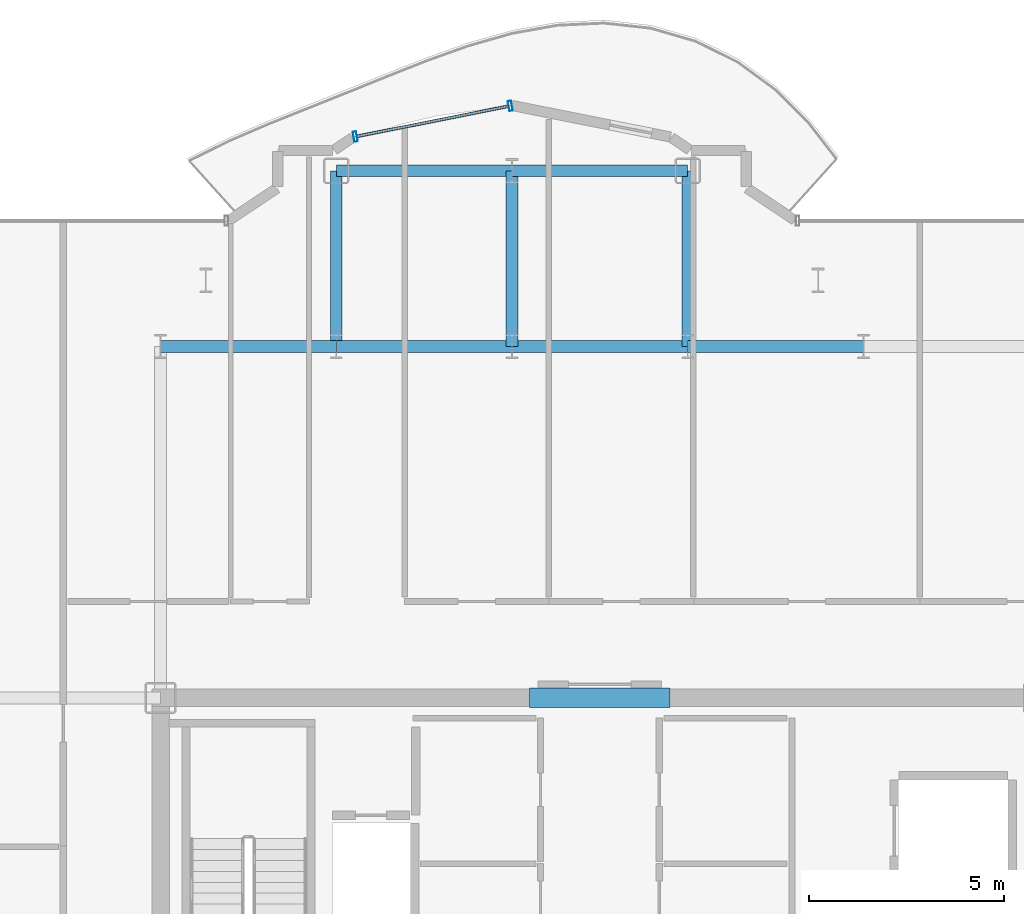
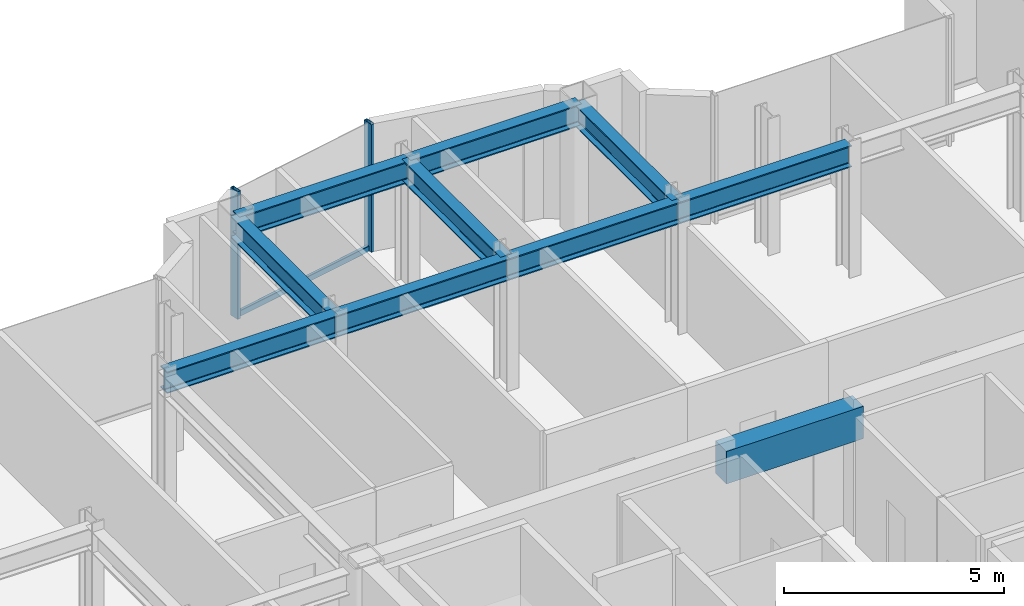
# One storey, part 10 of 18: 10 beams, 3 members, 1 element without a shape of its own.
"""IFC4 building model written with IfcOpenShell, lengths in metres."""

from ifc_helpers import new_model, si_unit, direction, frame, origin, origin_2d, place, context, subcontext, project, spatial, rectangle, hollow_rectangle, i_section, extrude, source, transform, mapped, material, layer, layer_set, material_profile, profile_set, type_object, element, aggregate, save


model = new_model("IFC4")

# Units and contexts
model_context = context("Model", 3, precision=1e-05, world=origin(), true_north=direction((0.0, 1.0)))
body_context = subcontext(model_context, "Body", "Model", "MODEL_VIEW")
ifc_project = project(units=[si_unit("LENGTHUNIT", "METRE"), si_unit("AREAUNIT", "SQUARE_METRE"), si_unit("VOLUMEUNIT", "CUBIC_METRE"), si_unit("PLANEANGLEUNIT", "RADIAN"), si_unit("MASSUNIT", "GRAM", prefix="KILO")], contexts=[model_context])

# Site, building, storey
site_placement = place(None, origin())
site = spatial("IfcSite", under=ifc_project, at=site_placement, CompositionType="ELEMENT")
building_placement = place(site_placement, origin())
building = spatial("IfcBuilding", under=site, at=building_placement, Name="Nefas-Gora Pilgrimage Tower", CompositionType="ELEMENT")
storey_placement = place(building_placement, frame((0.0, 0.0, 268.39990234375)))
storey = spatial("IfcBuildingStorey", under=building, at=storey_placement, Name="L67", CompositionType="ELEMENT", Elevation=268.39990234375)

# Beams
ifc_material_1 = material(Name="Concrete C50/60", Category="concrete")
ifc_material_profile_1 = material_profile(ifc_material_1, rectangle(XDim=0.5, YDim=0.89990234375, at=origin_2d()), Name="RC 500x900")
ifc_profile_set_1 = profile_set([ifc_material_profile_1], Name="Concrete C50/60")
beam_type_1 = type_object("IfcBeamType", Name="BM-LIN-RC900", PredefinedType="LINTEL", material=ifc_profile_set_1)
shared_shape_1 = source(origin(), body_context, "Body", "SweptSolid", [
    extrude(rectangle(XDim=0.5, YDim=0.89990234375, at=origin_2d()), origin(), (0.0, 0.0, 1.0), 3.60009765625),
])
beam_placement = place(storey_placement, frame((-1.800048828125, 9.0, 3.10009765625), z_axis=(1.0, 0.0, 0.0), x_axis=(0.0, 1.0, 0.0)))
element("IfcBeam", 1, at=beam_placement, inside=storey, type_object=beam_type_1, Name="L67 Core Coupling Lintel Beam N", PredefinedType="LINTEL", context=body_context, shape_type="MappedRepresentation", body=[
    mapped(shared_shape_1, transform((0.0, 0.0, 0.0), x_axis=(1.0, 0.0, 0.0), y_axis=(0.0, 1.0, 0.0), z_axis=(0.0, 0.0, 1.0), scale=1.0)),
])
ifc_material_2 = material(Name="Steel S355", Category="steel")
ifc_material_profile_2 = material_profile(ifc_material_2, i_section(OverallWidth=0.300048828125, OverallDepth=0.60009765625, WebThickness=0.015380859375, FlangeThickness=0.030029296875, FilletRadius=0.027099609375, at=origin_2d()), Name="HEB 600")
ifc_profile_set_2 = profile_set([ifc_material_profile_2], Name="Steel S355")
beam_type_2 = type_object("IfcBeamType", Name="BM-GIR-HEB600", PredefinedType="BEAM", material=ifc_profile_set_2)
shared_shape_2 = source(origin(), body_context, "Body", "SweptSolid", [
    extrude(i_section(OverallWidth=0.300048828125, OverallDepth=0.60009765625, WebThickness=0.015380859375, FlangeThickness=0.030029296875, FilletRadius=0.027099609375, at=origin_2d()), origin(), (0.0, 0.0, 1.0), 4.5),
])
for number, where, z_axis, x_axis, name in (
    (2, (-11.25, 18.0, 3.25), (1.0, 0.0, 0.0), (0.0, 1.0, 0.0), "L67 G-04 beam"),
    (3, (-6.75, 18.0, 3.25), (0.0, 1.0, 0.0), (-1.0, 0.0, 0.0), "L67 G-04 beam"),
    (4, (-6.75, 18.0, 3.25), (1.0, 0.0, 0.0), (0.0, 1.0, 0.0), "L67 G-04 beam"),
    (5, (-6.75, 22.5, 3.25), (1.0, 0.0, 0.0), (0.0, 1.0, 0.0), "L67 G-04 beam"),
    (6, (-2.25, 18.0, 3.25), (0.0, 1.0, 0.0), (-1.0, 0.0, 0.0), "L67 G-04 beam"),
    (7, (-2.25, 18.0, 3.25), (1.0, 0.0, 0.0), (0.0, 1.0, 0.0), "L67 G-04 beam"),
    (8, (-2.25, 22.5, 3.25), (1.0, 0.0, 0.0), (0.0, 1.0, 0.0), "L67 G-04 beam"),
    (9, (2.25, 18.0, 3.25), (0.0, 1.0, 0.0), (-1.0, 0.0, 0.0), "L67 G-04 beam"),
    (10, (2.25, 18.0, 3.25), (1.0, 0.0, 0.0), (0.0, 1.0, 0.0), "L67 G-04 beam"),
):
    element("IfcBeam", number, at=place(storey_placement, frame(where, z_axis=z_axis, x_axis=x_axis)), inside=storey, type_object=beam_type_2, Name=name, PredefinedType="BEAM", context=body_context, shape_type="MappedRepresentation", body=[
        mapped(shared_shape_2, transform((0.0, 0.0, 0.0), x_axis=(1.0, 0.0, 0.0), y_axis=(0.0, 1.0, 0.0), z_axis=(0.0, 0.0, 1.0), scale=1.0)),
    ])

# Curtain wall, members
ifc_material_3 = material(Name="Dark ceramic-fritted solar-control aluminium-glass curtain wall", Category="aluminium")
ifc_layer = layer(ifc_material_3, 0.219970703125)
ifc_layer_set = layer_set([ifc_layer], Name="Dark ceramic-fritted solar-control aluminium-glass curtain wall")
curtain_wall_type = type_object("IfcCurtainWallType", Name="CW-SYS-5", PredefinedType="NOTDEFINED", material=ifc_layer_set)
curtain_wall_placement = place(storey_placement, origin())
curtain_wall = element("IfcCurtainWall", 11, at=curtain_wall_placement, inside=storey, type_object=curtain_wall_type, Name="L67 Unitised Curtain Wall CW5", PredefinedType="NOTDEFINED")
ifc_material_4 = material(Name="Anodised architectural aluminium", Category="aluminium")
ifc_material_profile_3 = material_profile(ifc_material_4, hollow_rectangle(XDim=0.090087890625, YDim=0.260009765625, WallThickness=0.006103515625, InnerFilletRadius=0.006103515625, OuterFilletRadius=0.011962890625, at=origin_2d()), Name="ALU MULLION 90x260")
ifc_profile_set_3 = profile_set([ifc_material_profile_3], Name="Anodised architectural aluminium")
member_type_1 = type_object("IfcMemberType", Name="CWM-MUL-5", PredefinedType="MULLION", material=ifc_profile_set_3)
shared_shape_3 = source(origin(), body_context, "Body", "SweptSolid", [
    extrude(hollow_rectangle(XDim=0.090087890625, YDim=0.260009765625, WallThickness=0.006103515625, InnerFilletRadius=0.006103515625, OuterFilletRadius=0.011962890625, at=origin_2d()), origin(), (0.0, 0.0, 1.0), 3.550048828125),
])
member_1_placement = place(storey_placement, frame((-2.294189453125, 24.16357421875, 0.0), z_axis=(0.0, 0.0, 1.0), x_axis=(-0.980782896852, -0.195102304554, 0.0)))
member_1 = element("IfcMember", 12, at=member_1_placement, type_object=member_type_1, Name="CW5 Mullion 1", PredefinedType="MULLION", context=body_context, shape_type="MappedRepresentation", body=[
    mapped(shared_shape_3, transform((0.0, 0.0, 0.0), x_axis=(1.0, 0.0, 0.0), y_axis=(0.0, 1.0, 0.0), z_axis=(0.0, 0.0, 1.0), scale=1.0)),
])
member_2_placement = place(storey_placement, frame((-6.26318359375, 23.3740234375, 0.0), z_axis=(0.0, 0.0, 1.0), x_axis=(-0.980782896852, -0.195102304554, 0.0)))
member_2 = element("IfcMember", 13, at=member_2_placement, type_object=member_type_1, Name="CW5 Mullion 2", PredefinedType="MULLION", context=body_context, shape_type="MappedRepresentation", body=[
    mapped(shared_shape_3, transform((0.0, 0.0, 0.0), x_axis=(1.0, 0.0, 0.0), y_axis=(0.0, 1.0, 0.0), z_axis=(0.0, 0.0, 1.0), scale=1.0)),
])
ifc_material_profile_4 = material_profile(ifc_material_4, hollow_rectangle(XDim=0.080078125, YDim=0.159912109375, WallThickness=0.00439453125, InnerFilletRadius=0.00439453125, OuterFilletRadius=0.009033203125, at=origin_2d()), Name="ALU TRANSOM 80x160")
ifc_profile_set_4 = profile_set([ifc_material_profile_4], Name="Anodised architectural aluminium")
member_type_2 = type_object("IfcMemberType", Name="CWM-TRN-5", PredefinedType="USERDEFINED", material=ifc_profile_set_4)
shared_shape_4 = source(origin(), body_context, "Body", "SweptSolid", [
    extrude(hollow_rectangle(XDim=0.080078125, YDim=0.159912109375, WallThickness=0.00439453125, InnerFilletRadius=0.00439453125, OuterFilletRadius=0.009033203125, at=origin_2d()), origin(), (0.0, 0.0, 1.0), 3.95654296875),
])
member_3_placement = place(storey_placement, frame((-2.33837890625, 24.15478515625, 0.050048828125), z_axis=(-0.980781880918, -0.195107411605, 0.0), x_axis=(0.195107411605, -0.980781880918, 0.0)))
member_3 = element("IfcMember", 14, at=member_3_placement, type_object=member_type_2, Name="CW5 Spandrel Transom", ObjectType="TRANSOM", PredefinedType="USERDEFINED", context=body_context, shape_type="MappedRepresentation", body=[
    mapped(shared_shape_4, transform((0.0, 0.0, 0.0), x_axis=(1.0, 0.0, 0.0), y_axis=(0.0, 1.0, 0.0), z_axis=(0.0, 0.0, 1.0), scale=1.0)),
])
aggregate(curtain_wall, [member_1, member_2, member_3])

save(model, "model.ifc")
